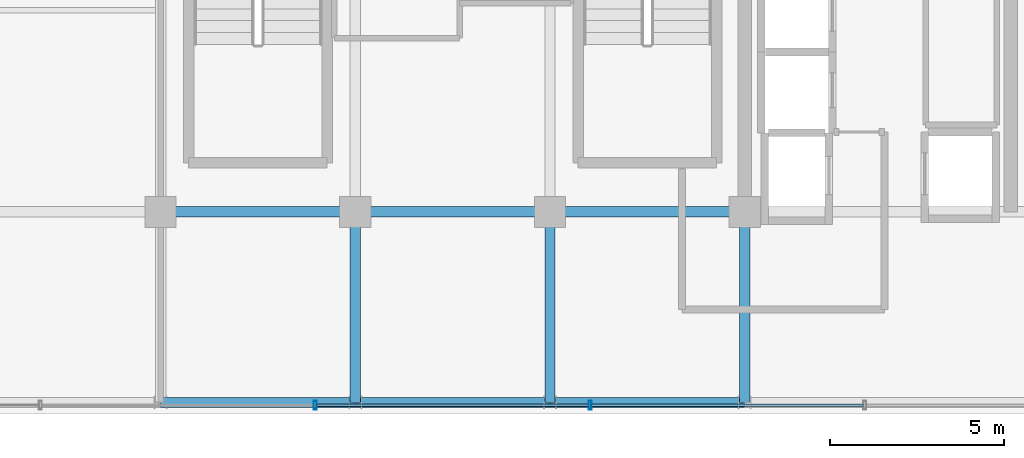
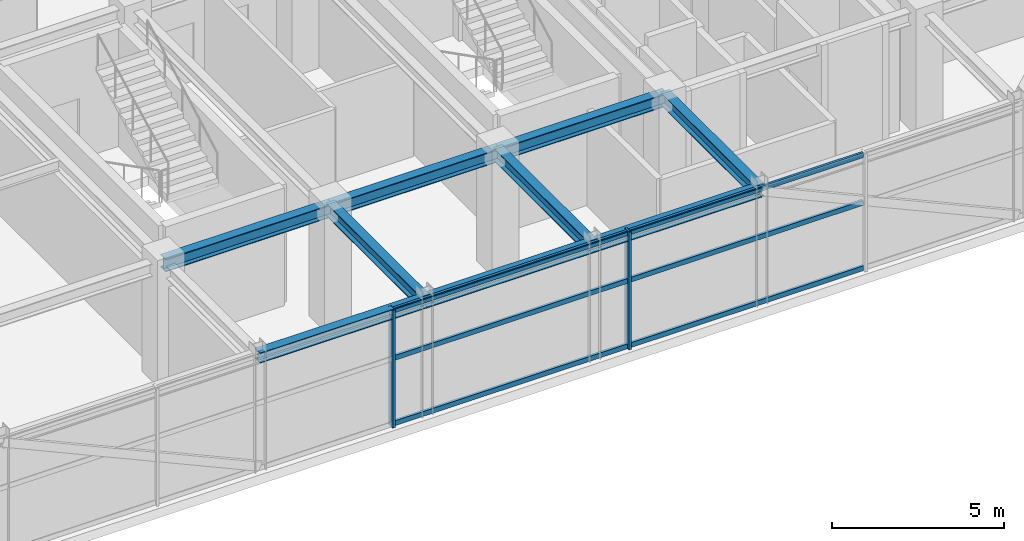
# One storey, part 6 of 26: 9 beams, 8 members, 1 element without a shape of its own.
"""IFC4 building model written with IfcOpenShell, lengths in metres."""

from ifc_helpers import new_model, si_unit, direction, frame, origin, origin_2d, place, context, subcontext, project, spatial, hollow_rectangle, i_section, extrude, source, transform, mapped, material, material_profile, profile_set, type_object, element, aggregate, save


model = new_model("IFC4")

# Units and contexts
model_context = context("Model", 3, precision=1e-05, world=origin(), true_north=direction((0.0, 1.0)))
body_context = subcontext(model_context, "Body", "Model", "MODEL_VIEW")
ifc_project = project(units=[si_unit("LENGTHUNIT", "METRE"), si_unit("AREAUNIT", "SQUARE_METRE"), si_unit("VOLUMEUNIT", "CUBIC_METRE"), si_unit("PLANEANGLEUNIT", "RADIAN"), si_unit("MASSUNIT", "GRAM", prefix="KILO")], contexts=[model_context])

# Site, building, storey
site_placement = place(None, origin())
site = spatial("IfcSite", under=ifc_project, at=site_placement, CompositionType="ELEMENT")
building_placement = place(site_placement, origin())
building = spatial("IfcBuilding", under=site, at=building_placement, Name="Nahalor Promenade Grand Hotel", CompositionType="ELEMENT")
storey_placement = place(building_placement, frame((0.0, 0.0, 343.050048828125)))
storey = spatial("IfcBuildingStorey", under=building, at=storey_placement, Name="L88", CompositionType="ELEMENT", Elevation=343.050048828125)

# Beams
ifc_material_1 = material(Name="Steel S355JR", Category="steel")
ifc_material_profile_1 = material_profile(ifc_material_1, i_section(OverallWidth=0.3, OverallDepth=0.45, WebThickness=0.014, FlangeThickness=0.026, at=origin_2d()), Name="HEB 450")
ifc_profile_set_1 = profile_set([ifc_material_profile_1], Name="Steel S355JR")
beam_type_1 = type_object("IfcBeamType", Name="Beam-Girder-HEB450", PredefinedType="BEAM", material=ifc_profile_set_1)
shared_shape_1 = source(origin(), body_context, "Body", "SweptSolid", [
    extrude(i_section(OverallWidth=0.3, OverallDepth=0.45, WebThickness=0.014, FlangeThickness=0.026, at=origin_2d()), origin(), (0.0, 0.0, 1.0), 5.599853515625),
])
for number, where, z_axis, x_axis, name in (
    (1, (-8.39990234375, -17.0, 3.945068359375), (1.0, 0.0, 0.0), (0.0, 1.0, 0.0), "BM-L88-GX-0-2"),
    (2, (2.800048828125, -17.0, 3.945068359375), (1.0, 0.0, 0.0), (0.0, 1.0, 0.0), "BM-L88-GX-0-4"),
):
    element("IfcBeam", number, at=place(storey_placement, frame(where, z_axis=z_axis, x_axis=x_axis)), inside=storey, type_object=beam_type_1, Name=name, PredefinedType="BEAM", context=body_context, shape_type="MappedRepresentation", body=[
        mapped(shared_shape_1, transform((0.0, 0.0, 0.0), scale=1.0)),
    ])
shared_shape_2 = source(origin(), body_context, "Body", "SweptSolid", [
    extrude(i_section(OverallWidth=0.3, OverallDepth=0.45, WebThickness=0.014, FlangeThickness=0.026, at=origin_2d()), origin(), (0.0, 0.0, 1.0), 5.60009765625),
])
beam_1_placement = place(storey_placement, frame((-2.800048828125, -17.0, 3.945068359375), z_axis=(1.0, 0.0, 0.0), x_axis=(0.0, 1.0, 0.0)))
element("IfcBeam", 3, at=beam_1_placement, inside=storey, type_object=beam_type_1, Name="BM-L88-GX-0-3", PredefinedType="BEAM", context=body_context, shape_type="MappedRepresentation", body=[
    mapped(shared_shape_2, transform((0.0, 0.0, 0.0), scale=1.0)),
])
shared_shape_3 = source(origin(), body_context, "Body", "SweptSolid", [
    extrude(i_section(OverallWidth=0.3, OverallDepth=0.45, WebThickness=0.014, FlangeThickness=0.026, at=origin_2d()), origin(), (0.0, 0.0, 1.0), 5.47998046875),
])
for number, where, z_axis, x_axis, name in (
    (4, (-2.800048828125, -22.47998046875, 3.945068359375), (0.0, 1.0, 0.0), (-1.0, 0.0, 0.0), "BM-L88-GY-2-0"),
    (5, (2.800048828125, -22.47998046875, 3.945068359375), (0.0, 1.0, 0.0), (-1.0, 0.0, 0.0), "BM-L88-GY-3-0"),
    (6, (8.39990234375, -22.47998046875, 3.945068359375), (0.0, 1.0, 0.0), (-1.0, 0.0, 0.0), "BM-L88-GY-4-0"),
):
    element("IfcBeam", number, at=place(storey_placement, frame(where, z_axis=z_axis, x_axis=x_axis)), inside=storey, type_object=beam_type_1, Name=name, PredefinedType="BEAM", context=body_context, shape_type="MappedRepresentation", body=[
        mapped(shared_shape_3, transform((0.0, 0.0, 0.0), scale=1.0)),
    ])
ifc_material_profile_2 = material_profile(ifc_material_1, i_section(OverallWidth=0.3, OverallDepth=0.36, WebThickness=0.0125, FlangeThickness=0.0225, at=origin_2d()), Name="HEB 360")
ifc_profile_set_2 = profile_set([ifc_material_profile_2], Name="Steel S355JR")
beam_type_2 = type_object("IfcBeamType", Name="Beam-Spandrel-HEB360", PredefinedType="SPANDREL", material=ifc_profile_set_2)
shared_shape_4 = source(origin(), body_context, "Body", "SweptSolid", [
    extrude(i_section(OverallWidth=0.3, OverallDepth=0.36, WebThickness=0.0125, FlangeThickness=0.0225, at=origin_2d()), origin(), (0.0, 0.0, 1.0), 5.599853515625),
])
for number, where, z_axis, x_axis, name in (
    (7, (-8.39990234375, -22.47998046875, 3.989990234375), (1.0, 0.0, 0.0), (0.0, 1.0, 0.0), "BM-L88-SP-S-1"),
    (8, (2.800048828125, -22.47998046875, 3.989990234375), (1.0, 0.0, 0.0), (0.0, 1.0, 0.0), "BM-L88-SP-S-3"),
):
    element("IfcBeam", number, at=place(storey_placement, frame(where, z_axis=z_axis, x_axis=x_axis)), inside=storey, type_object=beam_type_2, Name=name, PredefinedType="SPANDREL", context=body_context, shape_type="MappedRepresentation", body=[
        mapped(shared_shape_4, transform((0.0, 0.0, 0.0), scale=1.0)),
    ])
shared_shape_5 = source(origin(), body_context, "Body", "SweptSolid", [
    extrude(i_section(OverallWidth=0.3, OverallDepth=0.36, WebThickness=0.0125, FlangeThickness=0.0225, at=origin_2d()), origin(), (0.0, 0.0, 1.0), 5.60009765625),
])
beam_2_placement = place(storey_placement, frame((-2.800048828125, -22.47998046875, 3.989990234375), z_axis=(1.0, 0.0, 0.0), x_axis=(0.0, 1.0, 0.0)))
element("IfcBeam", 9, at=beam_2_placement, inside=storey, type_object=beam_type_2, Name="BM-L88-SP-S-2", PredefinedType="SPANDREL", context=body_context, shape_type="MappedRepresentation", body=[
    mapped(shared_shape_5, transform((0.0, 0.0, 0.0), scale=1.0)),
])

# Curtain wall, members
ifc_material_2 = material(Name="Anodised Bronze Aluminium EN AW-6063 T6", Category="aluminium")
curtain_wall_type = type_object("IfcCurtainWallType", Name="CW5 Sky-Lobby & Observation Panoramic Curtain Wall", PredefinedType="USERDEFINED", material=ifc_material_2)
curtain_wall_placement = place(storey_placement, origin())
curtain_wall = element("IfcCurtainWall", 10, at=curtain_wall_placement, inside=storey, type_object=curtain_wall_type, Name="L88 Curtain Wall CW-L88-S-1", ObjectType="UNITISED_CURTAIN_WALL", PredefinedType="USERDEFINED")
ifc_material_profile_3 = material_profile(ifc_material_2, hollow_rectangle(XDim=0.085, YDim=0.25, WallThickness=0.006, at=origin_2d()), Name="CWM 85x250x6")
ifc_profile_set_3 = profile_set([ifc_material_profile_3], Name="Anodised Bronze Aluminium EN AW-6063 T6")
member_type_1 = type_object("IfcMemberType", Name="CWM5 Panoramic Deep Mullion 85x250", PredefinedType="MULLION", material=ifc_profile_set_3)
shared_shape_6 = source(origin(), body_context, "Body", "SweptSolid", [
    extrude(hollow_rectangle(XDim=0.085, YDim=0.25, WallThickness=0.006, at=origin_2d()), origin(), (0.0, 0.0, 1.0), 4.169921875),
])
member_1_placement = place(storey_placement, frame((-3.951904296875, -22.56005859375, 0.0), z_axis=(0.0, 0.0, 1.0), x_axis=(1.0, 0.0, 0.0)))
member_1 = element("IfcMember", 11, at=member_1_placement, type_object=member_type_1, Name="CW-L88-S-1 Mullion 2", PredefinedType="MULLION", context=body_context, shape_type="MappedRepresentation", body=[
    mapped(shared_shape_6, transform((0.0, 0.0, 0.0), scale=1.0)),
])
member_2_placement = place(storey_placement, frame((3.951904296875, -22.56005859375, 0.0), z_axis=(0.0, 0.0, 1.0), x_axis=(1.0, 0.0, 0.0)))
member_2 = element("IfcMember", 12, at=member_2_placement, type_object=member_type_1, Name="CW-L88-S-1 Mullion 3", PredefinedType="MULLION", context=body_context, shape_type="MappedRepresentation", body=[
    mapped(shared_shape_6, transform((0.0, 0.0, 0.0), scale=1.0)),
])
ifc_material_profile_4 = material_profile(ifc_material_2, hollow_rectangle(XDim=0.085, YDim=0.17, WallThickness=0.005, at=origin_2d()), Name="CWT 85x170x5")
ifc_profile_set_4 = profile_set([ifc_material_profile_4], Name="Anodised Bronze Aluminium EN AW-6063 T6")
member_type_2 = type_object("IfcMemberType", Name="CWT5 Panoramic Transom 85x170", PredefinedType="USERDEFINED", material=ifc_profile_set_4)
shared_shape_7 = source(origin(), body_context, "Body", "SweptSolid", [
    extrude(hollow_rectangle(XDim=0.085, YDim=0.17, WallThickness=0.005, at=origin_2d()), origin(), (0.0, 0.0, 1.0), 7.819091796875),
])
member_3_placement = place(storey_placement, frame((3.994384765625, -22.56005859375, 0.0849609375), z_axis=(1.0, 0.0, 0.0), x_axis=(0.0, 1.0, 0.0)))
member_3 = element("IfcMember", 13, at=member_3_placement, type_object=member_type_2, Name="CW-L88-S-1 Transom 3-0", ObjectType="TRANSOM", PredefinedType="USERDEFINED", context=body_context, shape_type="MappedRepresentation", body=[
    mapped(shared_shape_7, transform((0.0, 0.0, 0.0), scale=1.0)),
])
member_4_placement = place(storey_placement, frame((3.994384765625, -22.56005859375, 2.39990234375), z_axis=(1.0, 0.0, 0.0), x_axis=(0.0, 1.0, 0.0)))
member_4 = element("IfcMember", 14, at=member_4_placement, type_object=member_type_2, Name="CW-L88-S-1 Transom 3-1", ObjectType="TRANSOM", PredefinedType="USERDEFINED", context=body_context, shape_type="MappedRepresentation", body=[
    mapped(shared_shape_7, transform((0.0, 0.0, 0.0), scale=1.0)),
])
member_5_placement = place(storey_placement, frame((3.994384765625, -22.56005859375, 4.0849609375), z_axis=(1.0, 0.0, 0.0), x_axis=(0.0, 1.0, 0.0)))
member_5 = element("IfcMember", 15, at=member_5_placement, type_object=member_type_2, Name="CW-L88-S-1 Transom 3-2", ObjectType="TRANSOM", PredefinedType="USERDEFINED", context=body_context, shape_type="MappedRepresentation", body=[
    mapped(shared_shape_7, transform((0.0, 0.0, 0.0), scale=1.0)),
])
shared_shape_8 = source(origin(), body_context, "Body", "SweptSolid", [
    extrude(hollow_rectangle(XDim=0.085, YDim=0.17, WallThickness=0.005, at=origin_2d()), origin(), (0.0, 0.0, 1.0), 7.81884765625),
])
member_6_placement = place(storey_placement, frame((-3.909423828125, -22.56005859375, 0.0849609375), z_axis=(1.0, 0.0, 0.0), x_axis=(0.0, 1.0, 0.0)))
member_6 = element("IfcMember", 16, at=member_6_placement, type_object=member_type_2, Name="CW-L88-S-1 Transom 2-0", ObjectType="TRANSOM", PredefinedType="USERDEFINED", context=body_context, shape_type="MappedRepresentation", body=[
    mapped(shared_shape_8, transform((0.0, 0.0, 0.0), scale=1.0)),
])
member_7_placement = place(storey_placement, frame((-3.909423828125, -22.56005859375, 2.39990234375), z_axis=(1.0, 0.0, 0.0), x_axis=(0.0, 1.0, 0.0)))
member_7 = element("IfcMember", 17, at=member_7_placement, type_object=member_type_2, Name="CW-L88-S-1 Transom 2-1", ObjectType="TRANSOM", PredefinedType="USERDEFINED", context=body_context, shape_type="MappedRepresentation", body=[
    mapped(shared_shape_8, transform((0.0, 0.0, 0.0), scale=1.0)),
])
member_8_placement = place(storey_placement, frame((-3.909423828125, -22.56005859375, 4.0849609375), z_axis=(1.0, 0.0, 0.0), x_axis=(0.0, 1.0, 0.0)))
member_8 = element("IfcMember", 18, at=member_8_placement, type_object=member_type_2, Name="CW-L88-S-1 Transom 2-2", ObjectType="TRANSOM", PredefinedType="USERDEFINED", context=body_context, shape_type="MappedRepresentation", body=[
    mapped(shared_shape_8, transform((0.0, 0.0, 0.0), scale=1.0)),
])
aggregate(curtain_wall, [member_1, member_2, member_6, member_7, member_8, member_3, member_4, member_5])

save(model, "model.ifc")
